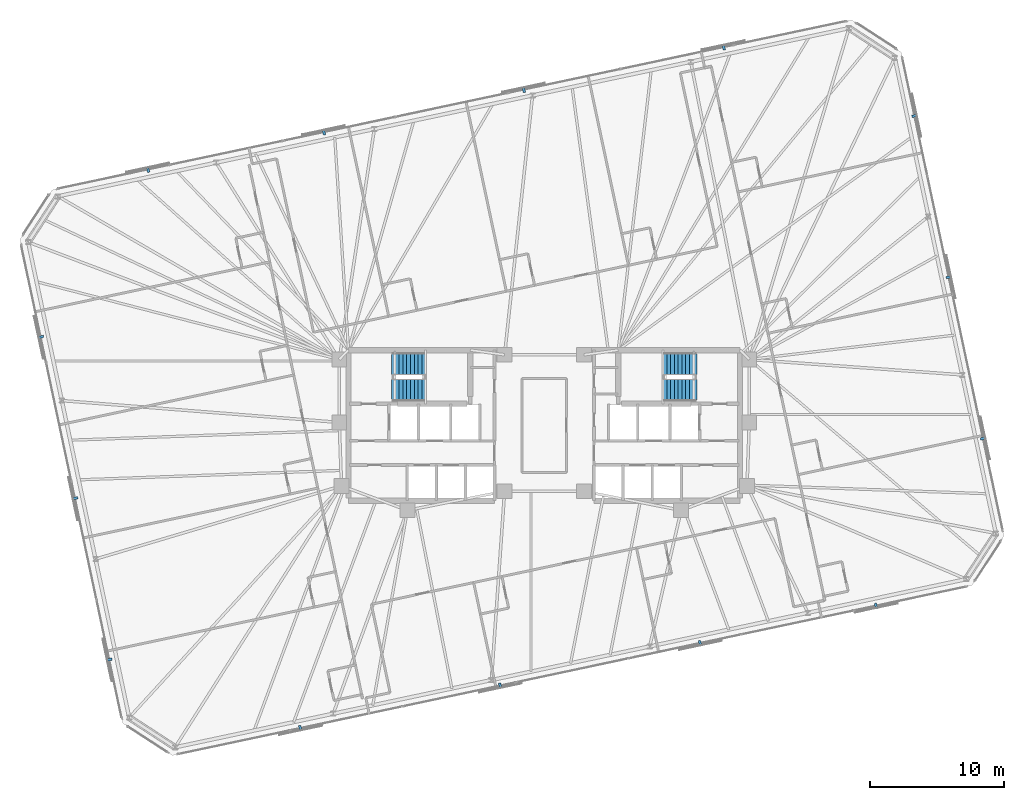
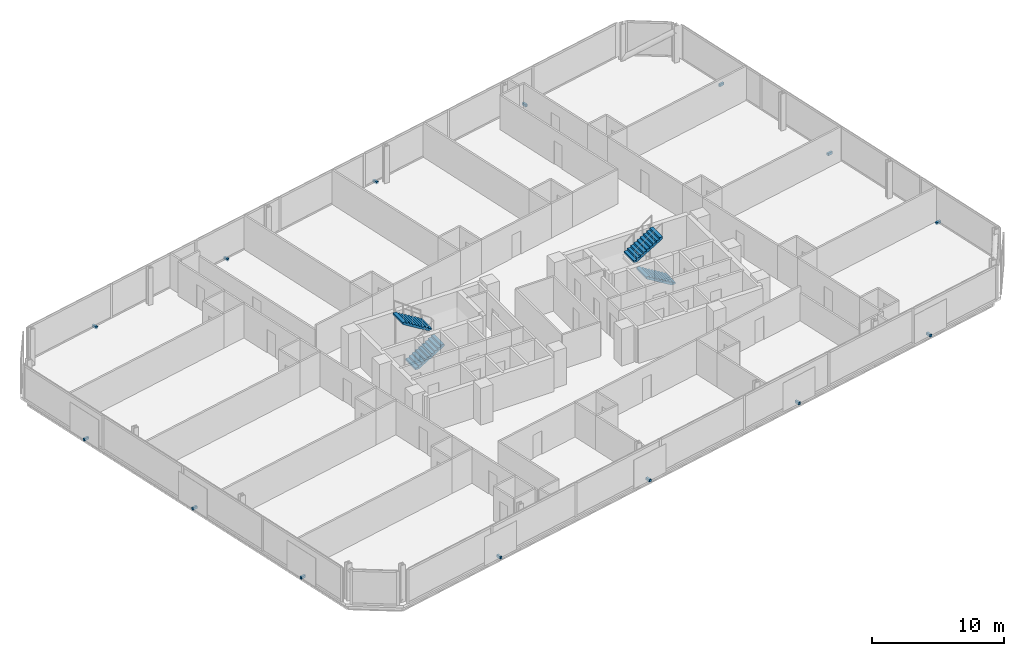
# One storey, part 18 of 19: 14 discrete accessories, 4 stair flights, 2 elements without a shape of their own.
"""IFC4 building model written with IfcOpenShell, lengths in metres."""

from ifc_helpers import new_model, si_unit, direction, frame, origin, origin_2d, place, context, subcontext, project, spatial, polyline, rectangle, outline, extrude, material, type_object, element, aggregate, save


model = new_model("IFC4")

# Units and contexts
model_context = context("Model", 3, precision=1e-05, world=origin(), true_north=direction((0.0, 1.0)))
body_context = subcontext(model_context, "Body", "Model", "MODEL_VIEW")
ifc_project = project(units=[si_unit("LENGTHUNIT", "METRE"), si_unit("AREAUNIT", "SQUARE_METRE"), si_unit("VOLUMEUNIT", "CUBIC_METRE"), si_unit("PLANEANGLEUNIT", "RADIAN"), si_unit("MASSUNIT", "GRAM", prefix="KILO")], contexts=[model_context])

# Site, building, storey
site_placement = place(None, origin())
site = spatial("IfcSite", under=ifc_project, at=site_placement, CompositionType="ELEMENT")
building_placement = place(site_placement, origin())
building = spatial("IfcBuilding", under=site, at=building_placement, Name="Menara Jurai Vektor", CompositionType="ELEMENT")
storey_placement = place(building_placement, frame((0.0, 0.0, 182.0)))
storey = spatial("IfcBuildingStorey", under=building, at=storey_placement, Name="L47", CompositionType="ELEMENT", Elevation=182.0)

# Stair, stair flights
ifc_material_1 = material(Name="Concrete C40/50", Category="concrete")
stair_type = type_object("IfcStairType", Name="STAIR-DOGLEG-1500", PredefinedType="HALF_TURN_STAIR", material=ifc_material_1)
stair_1_placement = place(storey_placement, origin())
stair_1 = element("IfcStair", 1, at=stair_1_placement, inside=storey, type_object=stair_type, Name="Protected Exit Stair ST1 L47", PredefinedType="HALF_TURN_STAIR")
stair_flight_type = type_object("IfcStairFlightType", Name="STAIR-FLIGHT-1500", PredefinedType="STRAIGHT", material=ifc_material_1)
stair_flight_1_placement = place(storey_placement, frame((-11.35009765625, 2.64990234375, 0.0), z_axis=(0.0, 0.0, 1.0), x_axis=(1.0, 0.0, 0.0)))
stair_flight_1 = element("IfcStairFlight", 2, at=stair_flight_1_placement, type_object=stair_flight_type, Name="ST1 flight 1", NumberOfRisers=10, NumberOfTreads=9, PredefinedType="STRAIGHT", RiserHeight=0.17, TreadLength=0.28, context=body_context, shape_type="SweptSolid", body=[
    extrude(outline(polyline([(0.0, 0.0), (0.0, 0.169921875), (0.280029296875, 0.169921875), (0.280029296875, 0.340087890625), (0.56005859375, 0.340087890625), (0.56005859375, 0.510009765625), (0.840087890625, 0.510009765625), (0.840087890625, 0.679931640625), (1.1201171875, 0.679931640625), (1.1201171875, 0.85009765625), (1.39990234375, 0.85009765625), (1.39990234375, 1.02001953125), (1.679931640625, 1.02001953125), (1.679931640625, 1.18994140625), (1.9599609375, 1.18994140625), (1.9599609375, 1.360107421875), (2.239990234375, 1.360107421875), (2.239990234375, 1.530029296875), (2.52001953125, 1.530029296875), (2.52001953125, 1.699951171875), (2.52001953125, 1.343017578125), (0.30810546875, 0.0), (0.0, 0.0)])), frame((0.0, 0.75, 0.0), z_axis=(0.0, -1.0, 0.0), x_axis=(1.0, 0.0, 0.0)), (0.0, 0.0, 1.0), 1.5),
])
stair_flight_2_placement = place(storey_placement, frame((-8.830078125, 4.550048828125, 1.699951171875), z_axis=(0.0, 0.0, 1.0), x_axis=(-1.0, 0.0, 0.0)))
stair_flight_2 = element("IfcStairFlight", 3, at=stair_flight_2_placement, type_object=stair_flight_type, Name="ST1 flight 2", NumberOfRisers=10, NumberOfTreads=9, PredefinedType="STRAIGHT", RiserHeight=0.17, TreadLength=0.28, context=body_context, shape_type="SweptSolid", body=[
    extrude(outline(polyline([(0.0, 0.0), (0.0, 0.169921875), (0.280029296875, 0.169921875), (0.280029296875, 0.340087890625), (0.56005859375, 0.340087890625), (0.56005859375, 0.510009765625), (0.840087890625, 0.510009765625), (0.840087890625, 0.679931640625), (1.1201171875, 0.679931640625), (1.1201171875, 0.85009765625), (1.39990234375, 0.85009765625), (1.39990234375, 1.02001953125), (1.679931640625, 1.02001953125), (1.679931640625, 1.18994140625), (1.9599609375, 1.18994140625), (1.9599609375, 1.360107421875), (2.239990234375, 1.360107421875), (2.239990234375, 1.530029296875), (2.52001953125, 1.530029296875), (2.52001953125, 1.699951171875), (2.52001953125, 1.343017578125), (0.30810546875, 0.0), (0.0, 0.0)])), frame((0.0, 0.75, 0.0), z_axis=(0.0, -1.0, 0.0), x_axis=(1.0, 0.0, 0.0)), (0.0, 0.0, 1.0), 1.5),
])
aggregate(stair_1, [stair_flight_1, stair_flight_2])

stair_2_placement = place(storey_placement, origin())
stair_2 = element("IfcStair", 4, at=stair_2_placement, inside=storey, type_object=stair_type, Name="Protected Exit Stair ST2 L47", PredefinedType="HALF_TURN_STAIR")
stair_flight_3_placement = place(storey_placement, frame((11.35009765625, 2.64990234375, 0.0), z_axis=(0.0, 0.0, 1.0), x_axis=(-1.0, 0.0, 0.0)))
stair_flight_3 = element("IfcStairFlight", 5, at=stair_flight_3_placement, type_object=stair_flight_type, Name="ST2 flight 1", NumberOfRisers=10, NumberOfTreads=9, PredefinedType="STRAIGHT", RiserHeight=0.17, TreadLength=0.28, context=body_context, shape_type="SweptSolid", body=[
    extrude(outline(polyline([(0.0, 0.0), (0.0, 0.169921875), (0.280029296875, 0.169921875), (0.280029296875, 0.340087890625), (0.56005859375, 0.340087890625), (0.56005859375, 0.510009765625), (0.840087890625, 0.510009765625), (0.840087890625, 0.679931640625), (1.1201171875, 0.679931640625), (1.1201171875, 0.85009765625), (1.39990234375, 0.85009765625), (1.39990234375, 1.02001953125), (1.679931640625, 1.02001953125), (1.679931640625, 1.18994140625), (1.9599609375, 1.18994140625), (1.9599609375, 1.360107421875), (2.239990234375, 1.360107421875), (2.239990234375, 1.530029296875), (2.52001953125, 1.530029296875), (2.52001953125, 1.699951171875), (2.52001953125, 1.343017578125), (0.30810546875, 0.0), (0.0, 0.0)])), frame((0.0, 0.75, 0.0), z_axis=(0.0, -1.0, 0.0), x_axis=(1.0, 0.0, 0.0)), (0.0, 0.0, 1.0), 1.5),
])
stair_flight_4_placement = place(storey_placement, frame((8.830078125, 4.550048828125, 1.699951171875), z_axis=(0.0, 0.0, 1.0), x_axis=(1.0, 0.0, 0.0)))
stair_flight_4 = element("IfcStairFlight", 6, at=stair_flight_4_placement, type_object=stair_flight_type, Name="ST2 flight 2", NumberOfRisers=10, NumberOfTreads=9, PredefinedType="STRAIGHT", RiserHeight=0.17, TreadLength=0.28, context=body_context, shape_type="SweptSolid", body=[
    extrude(outline(polyline([(0.0, 0.0), (0.0, 0.169921875), (0.280029296875, 0.169921875), (0.280029296875, 0.340087890625), (0.56005859375, 0.340087890625), (0.56005859375, 0.510009765625), (0.840087890625, 0.510009765625), (0.840087890625, 0.679931640625), (1.1201171875, 0.679931640625), (1.1201171875, 0.85009765625), (1.39990234375, 0.85009765625), (1.39990234375, 1.02001953125), (1.679931640625, 1.02001953125), (1.679931640625, 1.18994140625), (1.9599609375, 1.18994140625), (1.9599609375, 1.360107421875), (2.239990234375, 1.360107421875), (2.239990234375, 1.530029296875), (2.52001953125, 1.530029296875), (2.52001953125, 1.699951171875), (2.52001953125, 1.343017578125), (0.30810546875, 0.0), (0.0, 0.0)])), frame((0.0, 0.75, 0.0), z_axis=(0.0, -1.0, 0.0), x_axis=(1.0, 0.0, 0.0)), (0.0, 0.0, 1.0), 1.5),
])
aggregate(stair_2, [stair_flight_3, stair_flight_4])

# Discrete accessories
ifc_material_2 = material(Name="Steel S355", Category="steel")
discrete_accessory_type = type_object("IfcDiscreteAccessoryType", Name="ENV-ACC-BRACKET", PredefinedType="BRACKET", material=ifc_material_2)
for number, where, z_axis, x_axis, name in (
    (7, (-18.148193359375, -22.537841796875, -0.1298828125), (0.0, 0.0, 1.0), (0.978147600734, 0.207911690818, 0.0), "Solar Screen Stand-Off Bracket L47-S01"),
    (8, (-3.2802734375, -19.377685546875, -0.1298828125), (0.0, 0.0, 1.0), (0.978147600734, 0.207911690818, 0.0), "Solar Screen Stand-Off Bracket L47-S02"),
    (9, (11.587646484375, -16.21728515625, -0.1298828125), (0.0, 0.0, 1.0), (0.978147600734, 0.207911690818, 0.0), "Solar Screen Stand-Off Bracket L47-S03"),
    (10, (24.67138671875, -13.436279296875, -0.1298828125), (0.0, 0.0, 1.0), (0.978147600734, 0.207911690818, 0.0), "Solar Screen Stand-Off Bracket L47-S04"),
    (11, (32.660400390625, -0.9716796875, -0.1298828125), (0.0, 0.0, 1.0), (-0.207911690818, 0.978147600734, 0.0), "Solar Screen Stand-Off Bracket L47-S05"),
    (12, (30.10986328125, 11.027099609375, -0.1298828125), (0.0, 0.0, 1.0), (-0.207911690818, 0.978147600734, 0.0), "Solar Screen Stand-Off Bracket L47-S06"),
    (13, (27.5595703125, 23.025634765625, -0.1298828125), (0.0, 0.0, 1.0), (-0.207911690818, 0.978147600734, 0.0), "Solar Screen Stand-Off Bracket L47-S07"),
    (14, (13.34814453125, 28.137939453125, -0.1298828125), (0.0, 0.0, 1.0), (-0.978147600734, -0.207911690818, 0.0), "Solar Screen Stand-Off Bracket L47-S08"),
    (15, (-1.519775390625, 24.977783203125, -0.1298828125), (0.0, 0.0, 1.0), (-0.978147600734, -0.207911690818, 0.0), "Solar Screen Stand-Off Bracket L47-S09"),
    (16, (-16.3876953125, 21.8173828125, -0.1298828125), (0.0, 0.0, 1.0), (-0.978147600734, -0.207911690818, 0.0), "Solar Screen Stand-Off Bracket L47-S10"),
    (17, (-29.47119140625, 19.036376953125, -0.1298828125), (0.0, 0.0, 1.0), (-0.978147600734, -0.207911690818, 0.0), "Solar Screen Stand-Off Bracket L47-S11"),
    (18, (-37.460205078125, 6.571533203125, -0.1298828125), (0.0, 0.0, 1.0), (0.207911690818, -0.978147600734, 0.0), "Solar Screen Stand-Off Bracket L47-S12"),
    (19, (-34.909912109375, -5.427001953125, -0.1298828125), (0.0, 0.0, 1.0), (0.207911690818, -0.978147600734, 0.0), "Solar Screen Stand-Off Bracket L47-S13"),
    (20, (-32.359619140625, -17.425537109375, -0.1298828125), (0.0, 0.0, 1.0), (0.207911690818, -0.978147600734, 0.0), "Solar Screen Stand-Off Bracket L47-S14"),
):
    element("IfcDiscreteAccessory", number, at=place(storey_placement, frame(where, z_axis=z_axis, x_axis=x_axis)), inside=storey, type_object=discrete_accessory_type, Name=name, PredefinedType="BRACKET", context=body_context, shape_type="SweptSolid", body=[
        extrude(rectangle(XDim=0.179931640625, YDim=0.43994140625, at=origin_2d()), origin(), (0.0, 0.0, 1.0), 0.219970703125),
    ])

save(model, "model.ifc")
